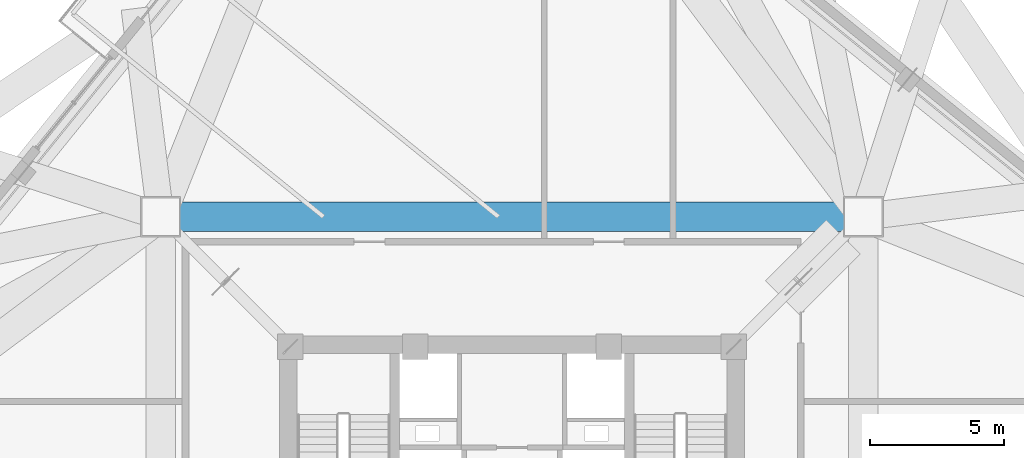
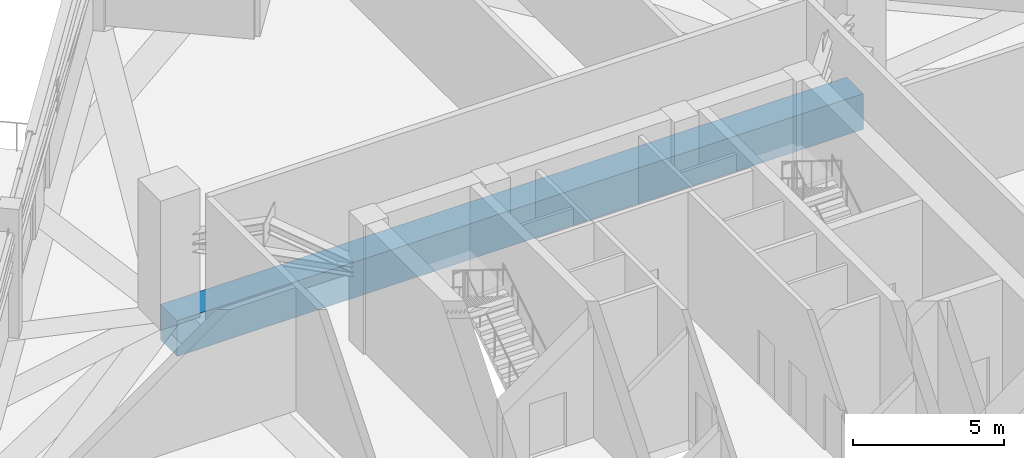
# One storey, part 8 of 22: 1 beam.
"""IFC4 building model written with IfcOpenShell, lengths in metres."""

from ifc_helpers import new_model, si_unit, direction, frame, origin, origin_2d, place, context, subcontext, project, spatial, rectangle, extrude, source, transform, mapped, material, material_profile, profile_set, type_object, element, save


model = new_model("IFC4")

# Units and contexts
model_context = context("Model", 3, precision=1e-05, world=origin(), true_north=direction((0.0, 1.0)))
body_context = subcontext(model_context, "Body", "Model", "MODEL_VIEW")
ifc_project = project(units=[si_unit("LENGTHUNIT", "METRE"), si_unit("AREAUNIT", "SQUARE_METRE"), si_unit("VOLUMEUNIT", "CUBIC_METRE"), si_unit("PLANEANGLEUNIT", "RADIAN"), si_unit("MASSUNIT", "GRAM", prefix="KILO"), si_unit("THERMODYNAMICTEMPERATUREUNIT", "KELVIN")], contexts=[model_context])

# Site, building, storey
site_placement = place(None, origin())
site = spatial("IfcSite", under=ifc_project, at=site_placement, CompositionType="ELEMENT")
building_placement = place(site_placement, origin())
building = spatial("IfcBuilding", under=site, at=building_placement, Name="Kosmvard Interchange Tower", CompositionType="ELEMENT")
storey_placement = place(building_placement, frame((0.0, 0.0, 200.39990234375)))
storey = spatial("IfcBuildingStorey", under=building, at=storey_placement, Name="L48", CompositionType="ELEMENT", Elevation=200.39990234375)

# Beam
ifc_material = material(Name="Concrete C70/85", Category="concrete")
ifc_material_profile = material_profile(ifc_material, rectangle(XDim=1.10009765625, YDim=1.43994140625, at=origin_2d()), Name="TG 1100x1440")
ifc_profile_set = profile_set([ifc_material_profile], Name="Concrete C70/85")
beam_type = type_object("IfcBeamType", Name="Mega-Frame Transfer Ring Girder 1100x1440 C70/85", PredefinedType="USERDEFINED", material=ifc_profile_set)
shared_shape = source(origin(), body_context, "Body", "SweptSolid", [
    extrude(rectangle(XDim=1.10009765625, YDim=1.43994140625, at=origin_2d()), origin(), (0.0, 0.0, 1.0), 26.162109375),
])
beam_placement = place(storey_placement, frame((13.0810546875, 13.0810546875, -0.719970703125), z_axis=(-1.0, 0.0, 0.0), x_axis=(0.0, -1.0, 0.0)))
element("IfcBeam", 1, at=beam_placement, inside=storey, type_object=beam_type, Name="L48 Mega-Column Ring Girder 3", ObjectType="TRANSFER_GIRDER", PredefinedType="USERDEFINED", context=body_context, shape_type="MappedRepresentation", body=[
    mapped(shared_shape, transform((0.0, 0.0, 0.0), scale=1.0)),
])

save(model, "model.ifc")
